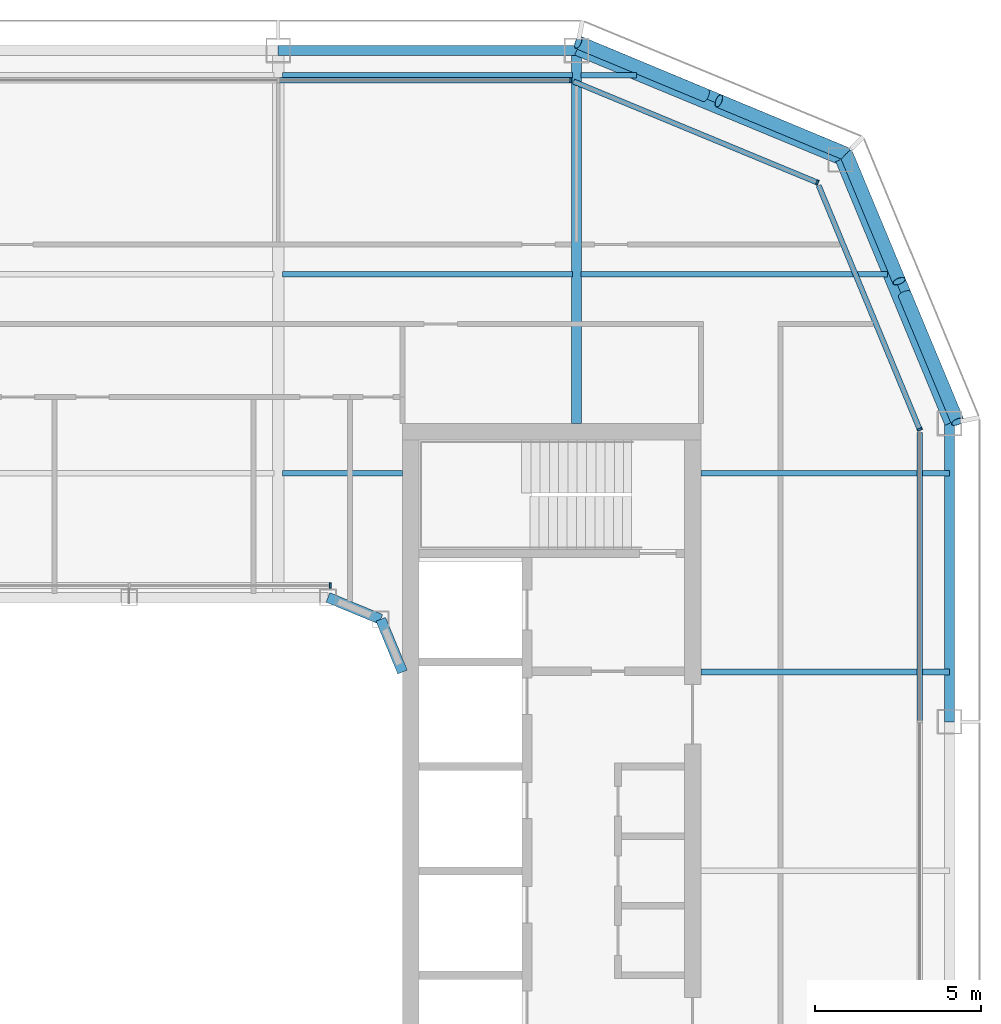
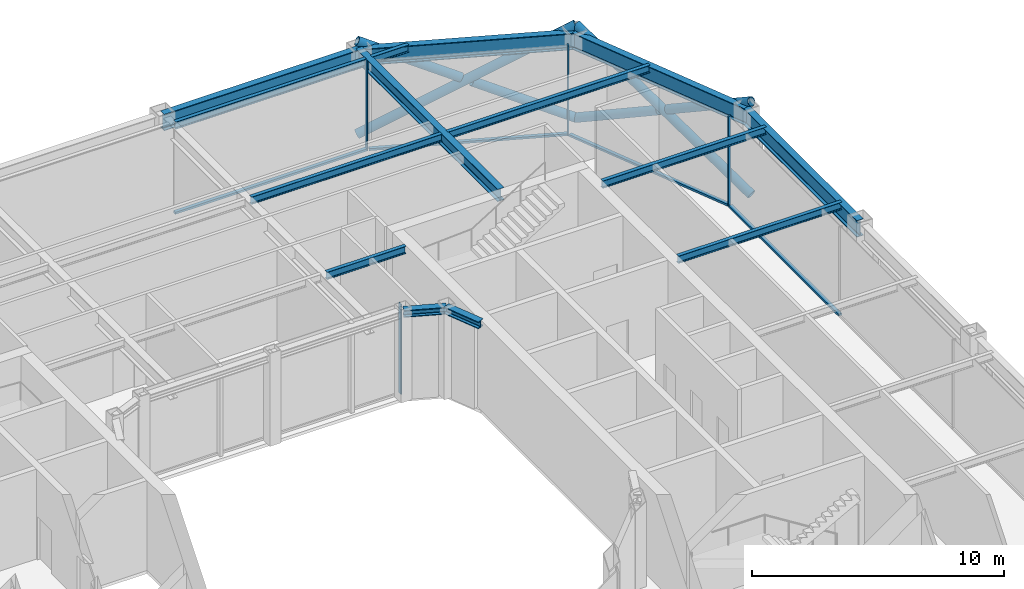
# One storey, part 8 of 20: 14 beams, 14 members, 5 elements without a shape of their own.
"""IFC4 building model written with IfcOpenShell, lengths in metres."""

from ifc_helpers import new_model, si_unit, direction, frame, origin, origin_2d, place, context, subcontext, project, spatial, rectangle, hollow_circle, i_section, extrude, material, layer, layer_set, material_profile, profile_set, type_object, element, aggregate, save


model = new_model("IFC4")

# Units and contexts
model_context = context("Model", 3, precision=1e-05, world=origin(), true_north=direction((0.0, 1.0)))
body_context = subcontext(model_context, "Body", "Model", "MODEL_VIEW")
ifc_project = project(units=[si_unit("LENGTHUNIT", "METRE"), si_unit("AREAUNIT", "SQUARE_METRE"), si_unit("VOLUMEUNIT", "CUBIC_METRE"), si_unit("PLANEANGLEUNIT", "RADIAN"), si_unit("MASSUNIT", "GRAM", prefix="KILO")], contexts=[model_context])

# Site, building, storey
site_placement = place(None, origin())
site = spatial("IfcSite", under=ifc_project, at=site_placement, CompositionType="ELEMENT")
building_placement = place(site_placement, origin())
building = spatial("IfcBuilding", under=site, at=building_placement, Name="Siwar Civic Tower", CompositionType="ELEMENT")
storey_placement = place(building_placement, frame((0.0, 0.0, 316.699951171875)))
storey = spatial("IfcBuildingStorey", under=building, at=storey_placement, Name="L68", CompositionType="ELEMENT", Elevation=316.699951171875)

# Curtain wall, member
ifc_material_1 = material(Name="Aluminium clad insulated panel", Category="aluminium")
ifc_layer_1 = layer(ifc_material_1, 0.159912109375)
ifc_layer_set_1 = layer_set([ifc_layer_1], Name="Aluminium clad insulated panel")
curtain_wall_type_1 = type_object("IfcCurtainWallType", Name="ENV-CW-DX", PredefinedType="NOTDEFINED", material=ifc_layer_set_1)
curtain_wall_1_placement = place(storey_placement, origin())
curtain_wall_1 = element("IfcCurtainWall", 1, at=curtain_wall_1_placement, inside=storey, type_object=curtain_wall_type_1, Name="Curtain wall D NE1", PredefinedType="NOTDEFINED")
ifc_material_2 = material(Name="Aluminium 6063-T6", Category="aluminium")
ifc_material_profile_1 = material_profile(ifc_material_2, rectangle(XDim=0.159912109375, YDim=0.06005859375, at=origin_2d()), Name="AL 160x60")
ifc_profile_set_1 = profile_set([ifc_material_profile_1], Name="Aluminium 6063-T6")
member_type_1 = type_object("IfcMemberType", Name="ENV-MULLION-D", PredefinedType="MULLION", material=ifc_profile_set_1)
member_1_placement = place(storey_placement, frame((23.85009765625, 13.321044921875, 0.0), z_axis=(0.0, 0.0, 1.0), x_axis=(-0.923879532511, -0.382683432365, 0.0)))
member_1 = element("IfcMember", 2, at=member_1_placement, type_object=member_type_1, Name="Mullion D NE1 1", PredefinedType="MULLION", context=body_context, shape_type="SweptSolid", body=[
    extrude(rectangle(XDim=0.159912109375, YDim=0.06005859375, at=origin_2d()), origin(), (0.0, 0.0, 1.0), 4.35009765625),
])

curtain_wall_2_placement = place(storey_placement, origin())
curtain_wall_2 = element("IfcCurtainWall", 3, at=curtain_wall_2_placement, inside=storey, type_object=curtain_wall_type_1, Name="Curtain wall D NE2", PredefinedType="NOTDEFINED")
member_2_placement = place(storey_placement, frame((20.76611328125, 20.76611328125, 0.0), z_axis=(0.0, 0.0, 1.0), x_axis=(-0.382683432365, -0.923879532511, 0.0)))
member_2 = element("IfcMember", 4, at=member_2_placement, type_object=member_type_1, Name="Mullion D NE2 1", PredefinedType="MULLION", context=body_context, shape_type="SweptSolid", body=[
    extrude(rectangle(XDim=0.159912109375, YDim=0.06005859375, at=origin_2d()), origin(), (0.0, 0.0, 1.0), 4.35009765625),
])

ifc_material_3 = material(Name="Aluminium and glass", Category="aluminium")
ifc_layer_2 = layer(ifc_material_3, 0.159912109375)
ifc_layer_set_2 = layer_set([ifc_layer_2], Name="Aluminium and glass")
curtain_wall_type_2 = type_object("IfcCurtainWallType", Name="ENV-CW-D", PredefinedType="NOTDEFINED", material=ifc_layer_set_2)
curtain_wall_3_placement = place(storey_placement, origin())
curtain_wall_3 = element("IfcCurtainWall", 5, at=curtain_wall_3_placement, inside=storey, type_object=curtain_wall_type_2, Name="Curtain wall D N", PredefinedType="NOTDEFINED")
member_3_placement = place(storey_placement, frame((13.321044921875, 23.85009765625, 0.0), z_axis=(0.0, 0.0, 1.0), x_axis=(0.0, -1.0, 0.0)))
member_3 = element("IfcMember", 6, at=member_3_placement, type_object=member_type_1, Name="Mullion D N 1", PredefinedType="MULLION", context=body_context, shape_type="SweptSolid", body=[
    extrude(rectangle(XDim=0.159912109375, YDim=0.06005859375, at=origin_2d()), origin(), (0.0, 0.0, 1.0), 4.35009765625),
])

ifc_material_4 = material(Name="Aluminium and glass", Category="aluminium")
ifc_layer_3 = layer(ifc_material_4, 0.179931640625)
ifc_layer_set_3 = layer_set([ifc_layer_3], Name="Aluminium and glass")
curtain_wall_type_3 = type_object("IfcCurtainWallType", Name="ENV-CW-W", PredefinedType="NOTDEFINED", material=ifc_layer_set_3)
curtain_wall_4_placement = place(storey_placement, origin())
curtain_wall_4 = element("IfcCurtainWall", 7, at=curtain_wall_4_placement, inside=storey, type_object=curtain_wall_type_3, Name="Curtain wall W WN", PredefinedType="NOTDEFINED")
ifc_material_5 = material(Name="Aluminium 6063-T6", Category="aluminium")
ifc_material_profile_2 = material_profile(ifc_material_5, rectangle(XDim=0.179931640625, YDim=0.06005859375, at=origin_2d()), Name="AL 180x60")
ifc_profile_set_2 = profile_set([ifc_material_profile_2], Name="Aluminium 6063-T6")
member_type_2 = type_object("IfcMemberType", Name="ENV-MULLION-W", PredefinedType="MULLION", material=ifc_profile_set_2)
member_4_placement = place(storey_placement, frame((6.071533203125, 8.610107421875, 0.0), z_axis=(0.0, 0.0, 1.0), x_axis=(0.0, -1.0, 0.0)))
member_4 = element("IfcMember", 8, at=member_4_placement, type_object=member_type_2, Name="Mullion W WN 1", PredefinedType="MULLION", context=body_context, shape_type="SweptSolid", body=[
    extrude(rectangle(XDim=0.179931640625, YDim=0.06005859375, at=origin_2d()), origin(), (0.0, 0.0, 1.0), 4.35009765625),
])
aggregate(curtain_wall_4, [member_4])

curtain_wall_5_placement = place(storey_placement, origin())
curtain_wall_5 = element("IfcCurtainWall", 9, at=curtain_wall_5_placement, inside=storey, type_object=curtain_wall_type_2, Name="Curtain wall D E", PredefinedType="NOTDEFINED")
ifc_material_6 = material(Name="Aluminium 6063-T6", Category="aluminium")
ifc_material_profile_3 = material_profile(ifc_material_6, rectangle(XDim=0.159912109375, YDim=0.10009765625, at=origin_2d()), Name="AL 160x100")
ifc_profile_set_3 = profile_set([ifc_material_profile_3], Name="Aluminium 6063-T6")
member_type_3 = type_object("IfcMemberType", Name="ENV-TRANSOM-D", PredefinedType="USERDEFINED", material=ifc_profile_set_3)
member_5_placement = place(storey_placement, frame((23.85009765625, 4.530029296875, 0.050048828125), z_axis=(0.0, 1.0, 0.0), x_axis=(-1.0, 0.0, 0.0)))
member_5 = element("IfcMember", 10, at=member_5_placement, type_object=member_type_3, Name="Transom D E 3", ObjectType="TRANSOM", PredefinedType="USERDEFINED", context=body_context, shape_type="SweptSolid", body=[
    extrude(rectangle(XDim=0.159912109375, YDim=0.10009765625, at=origin_2d()), origin(), (0.0, 0.0, 1.0), 8.693115234375),
])
aggregate(curtain_wall_5, [member_5])

# Member
member_6_placement = place(storey_placement, frame((23.838623046875, 13.3486328125, 0.050048828125), z_axis=(-0.382699790424, 0.923872756612, 0.0), x_axis=(-0.923872756612, -0.382699790424, 0.0)))
member_6 = element("IfcMember", 11, at=member_6_placement, type_object=member_type_3, Name="Transom D NE1 1", ObjectType="TRANSOM", PredefinedType="USERDEFINED", context=body_context, shape_type="SweptSolid", body=[
    extrude(rectangle(XDim=0.159912109375, YDim=0.10009765625, at=origin_2d()), origin(), (0.0, 0.0, 1.0), 7.930908203125),
])

aggregate(curtain_wall_1, [member_1, member_6])

member_7_placement = place(storey_placement, frame((20.738525390625, 20.777587890625, 0.050048828125), z_axis=(-0.923883640343, 0.382673515031, 0.0), x_axis=(-0.382673515031, -0.923883640343, 0.0)))
member_7 = element("IfcMember", 12, at=member_7_placement, type_object=member_type_3, Name="Transom D NE2 1", ObjectType="TRANSOM", PredefinedType="USERDEFINED", context=body_context, shape_type="SweptSolid", body=[
    extrude(rectangle(XDim=0.159912109375, YDim=0.10009765625, at=origin_2d()), origin(), (0.0, 0.0, 1.0), 7.930908203125),
])

aggregate(curtain_wall_2, [member_2, member_7])

member_8_placement = place(storey_placement, frame((13.291015625, 23.85009765625, 0.050048828125), z_axis=(-1.0, 0.0, 0.0), x_axis=(0.0, -1.0, 0.0)))
member_8 = element("IfcMember", 13, at=member_8_placement, type_object=member_type_3, Name="Transom D N 1", ObjectType="TRANSOM", PredefinedType="USERDEFINED", context=body_context, shape_type="SweptSolid", body=[
    extrude(rectangle(XDim=0.159912109375, YDim=0.10009765625, at=origin_2d()), origin(), (0.0, 0.0, 1.0), 8.760986328125),
])

aggregate(curtain_wall_3, [member_3, member_8])

# Members
ifc_material_7 = material(Name="Steel S355", Category="steel")
ifc_material_profile_4 = material_profile(ifc_material_7, hollow_circle(Radius=0.203125, WallThickness=0.01611328125, at=origin_2d()), Name="CHS406.4x16")
ifc_profile_set_4 = profile_set([ifc_material_profile_4], Name="Steel S355")
member_type_4 = type_object("IfcMemberType", Name="STR-BR-CHS406.4x16", PredefinedType="BRACE", material=ifc_profile_set_4)
member_9_placement = place(storey_placement, frame((13.548828125, 24.9951171875, 0.0), z_axis=(0.821142553604, -0.341671493852, 0.457149315816), x_axis=(0.384163874976, 0.923264922524, 0.0)))
element("IfcMember", 14, at=member_9_placement, inside=storey, type_object=member_type_4, Name="L68/brc/DNE1-7-0-1", PredefinedType="BRACE", context=body_context, shape_type="SweptSolid", body=[
    extrude(hollow_circle(Radius=0.203125, WallThickness=0.01611328125, at=origin_2d()), origin(), (0.0, 0.0, 1.0), 9.843505859375),
])
member_10_placement = place(storey_placement, frame((21.6318359375, 21.6318359375, 0.0), z_axis=(-0.821147096886, 0.341644380467, 0.457161418507), x_axis=(-0.38413607648, -0.923276488787, 0.0)))
element("IfcMember", 15, at=member_10_placement, inside=storey, type_object=member_type_4, Name="L68/brc/DNE1-7-0-2", PredefinedType="BRACE", context=body_context, shape_type="SweptSolid", body=[
    extrude(hollow_circle(Radius=0.203125, WallThickness=0.01611328125, at=origin_2d()), origin(), (0.0, 0.0, 1.0), 4.677001953125),
])
member_11_placement = place(storey_placement, frame((17.38916015625, 23.397216796875, 2.362060546875), z_axis=(-0.821149689876, 0.341667178655, 0.457139722456), x_axis=(-0.384156893273, -0.923267827529, 0.0)))
element("IfcMember", 16, at=member_11_placement, inside=storey, type_object=member_type_4, Name="L68/brc/DNE1-7-0-3", PredefinedType="BRACE", context=body_context, shape_type="SweptSolid", body=[
    extrude(hollow_circle(Radius=0.203125, WallThickness=0.01611328125, at=origin_2d()), origin(), (0.0, 0.0, 1.0), 4.6767578125),
])
member_12_placement = place(storey_placement, frame((24.9951171875, 13.548828125, 0.0), z_axis=(-0.341671493852, 0.821142553604, 0.457149315816), x_axis=(-0.923264922524, -0.384163874976, 0.0)))
element("IfcMember", 17, at=member_12_placement, inside=storey, type_object=member_type_4, Name="L68/brc/DNE1-7-0-0", PredefinedType="BRACE", context=body_context, shape_type="SweptSolid", body=[
    extrude(hollow_circle(Radius=0.203125, WallThickness=0.01611328125, at=origin_2d()), origin(), (0.0, 0.0, 1.0), 9.843505859375),
])
member_13_placement = place(storey_placement, frame((21.6318359375, 21.6318359375, 0.0), z_axis=(0.341644380467, -0.821147096886, 0.457161418507), x_axis=(0.923276488787, 0.38413607648, 0.0)))
element("IfcMember", 18, at=member_13_placement, inside=storey, type_object=member_type_4, Name="L68/brc/DNE1-7-0-4", PredefinedType="BRACE", context=body_context, shape_type="SweptSolid", body=[
    extrude(hollow_circle(Radius=0.203125, WallThickness=0.01611328125, at=origin_2d()), origin(), (0.0, 0.0, 1.0), 4.677001953125),
])
member_14_placement = place(storey_placement, frame((23.397216796875, 17.38916015625, 2.362060546875), z_axis=(0.341667178655, -0.821149689876, 0.457139722456), x_axis=(0.923267827529, 0.384156893273, 0.0)))
element("IfcMember", 19, at=member_14_placement, inside=storey, type_object=member_type_4, Name="L68/brc/DNE1-7-0-5", PredefinedType="BRACE", context=body_context, shape_type="SweptSolid", body=[
    extrude(hollow_circle(Radius=0.203125, WallThickness=0.01611328125, at=origin_2d()), origin(), (0.0, 0.0, 1.0), 4.6767578125),
])

# Beams
ifc_material_8 = material(Name="Steel S355", Category="steel")
ifc_material_profile_5 = material_profile(ifc_material_8, i_section(OverallWidth=0.169921875, OverallDepth=0.360107421875, WebThickness=0.008056640625, FlangeThickness=0.0126953125, FilletRadius=0.01806640625, at=origin_2d()), Name="IPE360")
ifc_profile_set_5 = profile_set([ifc_material_profile_5], Name="Steel S355")
beam_type_1 = type_object("IfcBeamType", Name="STR-FB-IPE360", PredefinedType="JOIST", material=ifc_profile_set_5)
beam_1_placement = place(storey_placement, frame((17.25, 6.0, 4.170166015625), z_axis=(1.0, 0.0, 0.0), x_axis=(0.0, 1.0, 0.0)))
element("IfcBeam", 20, at=beam_1_placement, inside=storey, type_object=beam_type_1, Name="L68/bm/F021", PredefinedType="JOIST", context=body_context, shape_type="SweptSolid", body=[
    extrude(i_section(OverallWidth=0.169921875, OverallDepth=0.360107421875, WebThickness=0.008056640625, FlangeThickness=0.0126953125, FilletRadius=0.01806640625, at=origin_2d()), origin(), (0.0, 0.0, 1.0), 7.5),
])
beam_2_placement = place(storey_placement, frame((4.6298828125, 12.0, 4.170166015625), z_axis=(1.0, 0.0, 0.0), x_axis=(0.0, 1.0, 0.0)))
element("IfcBeam", 21, at=beam_2_placement, inside=storey, type_object=beam_type_1, Name="L68/bm/F025", PredefinedType="JOIST", context=body_context, shape_type="SweptSolid", body=[
    extrude(i_section(OverallWidth=0.169921875, OverallDepth=0.360107421875, WebThickness=0.008056640625, FlangeThickness=0.0126953125, FilletRadius=0.01806640625, at=origin_2d()), origin(), (0.0, 0.0, 1.0), 3.6201171875),
])
beam_3_placement = place(storey_placement, frame((17.25, 12.0, 4.170166015625), z_axis=(1.0, 0.0, 0.0), x_axis=(0.0, 1.0, 0.0)))
element("IfcBeam", 22, at=beam_3_placement, inside=storey, type_object=beam_type_1, Name="L68/bm/F026", PredefinedType="JOIST", context=body_context, shape_type="SweptSolid", body=[
    extrude(i_section(OverallWidth=0.169921875, OverallDepth=0.360107421875, WebThickness=0.008056640625, FlangeThickness=0.0126953125, FilletRadius=0.01806640625, at=origin_2d()), origin(), (0.0, 0.0, 1.0), 7.5),
])
beam_4_placement = place(storey_placement, frame((4.6298828125, 18.0, 4.170166015625), z_axis=(1.0, 0.0, 0.0), x_axis=(0.0, 1.0, 0.0)))
element("IfcBeam", 23, at=beam_4_placement, inside=storey, type_object=beam_type_1, Name="L68/bm/F030", PredefinedType="JOIST", context=body_context, shape_type="SweptSolid", body=[
    extrude(i_section(OverallWidth=0.169921875, OverallDepth=0.360107421875, WebThickness=0.008056640625, FlangeThickness=0.0126953125, FilletRadius=0.01806640625, at=origin_2d()), origin(), (0.0, 0.0, 1.0), 8.740234375),
])
beam_5_placement = place(storey_placement, frame((13.6298828125, 18.0, 4.170166015625), z_axis=(1.0, 0.0, 0.0), x_axis=(0.0, 1.0, 0.0)))
element("IfcBeam", 24, at=beam_5_placement, inside=storey, type_object=beam_type_1, Name="L68/bm/F031", PredefinedType="JOIST", context=body_context, shape_type="SweptSolid", body=[
    extrude(i_section(OverallWidth=0.169921875, OverallDepth=0.360107421875, WebThickness=0.008056640625, FlangeThickness=0.0126953125, FilletRadius=0.01806640625, at=origin_2d()), origin(), (0.0, 0.0, 1.0), 9.256103515625),
])
beam_6_placement = place(storey_placement, frame((4.6298828125, 24.0, 4.170166015625), z_axis=(1.0, 0.0, 0.0), x_axis=(0.0, 1.0, 0.0)))
element("IfcBeam", 25, at=beam_6_placement, inside=storey, type_object=beam_type_1, Name="L68/bm/F035", PredefinedType="JOIST", context=body_context, shape_type="SweptSolid", body=[
    extrude(i_section(OverallWidth=0.169921875, OverallDepth=0.360107421875, WebThickness=0.008056640625, FlangeThickness=0.0126953125, FilletRadius=0.01806640625, at=origin_2d()), origin(), (0.0, 0.0, 1.0), 8.740234375),
])
beam_7_placement = place(storey_placement, frame((13.6298828125, 24.0, 4.170166015625), z_axis=(1.0, 0.0, 0.0), x_axis=(0.0, 1.0, 0.0)))
element("IfcBeam", 26, at=beam_7_placement, inside=storey, type_object=beam_type_1, Name="L68/bm/F036", PredefinedType="JOIST", context=body_context, shape_type="SweptSolid", body=[
    extrude(i_section(OverallWidth=0.169921875, OverallDepth=0.360107421875, WebThickness=0.008056640625, FlangeThickness=0.0126953125, FilletRadius=0.01806640625, at=origin_2d()), origin(), (0.0, 0.0, 1.0), 1.6806640625),
])
ifc_material_9 = material(Name="Steel S355", Category="steel")
ifc_material_profile_6 = material_profile(ifc_material_9, i_section(OverallWidth=0.300048828125, OverallDepth=0.60009765625, WebThickness=0.015380859375, FlangeThickness=0.030029296875, FilletRadius=0.027099609375, at=origin_2d()), Name="HEB600")
ifc_profile_set_6 = profile_set([ifc_material_profile_6], Name="Steel S355")
beam_type_2 = type_object("IfcBeamType", Name="STR-PG-HEB600", PredefinedType="BEAM", material=ifc_profile_set_6)
beam_8_placement = place(storey_placement, frame((13.5, 13.5, 4.050048828125), z_axis=(0.0, 1.0, 0.0), x_axis=(-1.0, 0.0, 0.0)))
element("IfcBeam", 27, at=beam_8_placement, inside=storey, type_object=beam_type_2, Name="L68/bm/G08", PredefinedType="BEAM", context=body_context, shape_type="SweptSolid", body=[
    extrude(i_section(OverallWidth=0.300048828125, OverallDepth=0.60009765625, WebThickness=0.015380859375, FlangeThickness=0.030029296875, FilletRadius=0.027099609375, at=origin_2d()), origin(), (0.0, 0.0, 1.0), 11.25),
])
ifc_material_10 = material(Name="Steel S355", Category="steel")
ifc_material_profile_7 = material_profile(ifc_material_10, i_section(OverallWidth=0.31005859375, OverallDepth=0.340087890625, WebThickness=0.02099609375, FlangeThickness=0.0390625, FilletRadius=0.027099609375, at=origin_2d()), Name="HEM300")
ifc_profile_set_7 = profile_set([ifc_material_profile_7], Name="Steel S355")
beam_type_3 = type_object("IfcBeamType", Name="STR-RB-HEM300", PredefinedType="BEAM", material=ifc_profile_set_7)
for number, where, z_axis, x_axis, name in (
    (28, (6.0, 8.25, 4.179931640625), (0.923901072997, -0.382631424892, 0.0), (0.382631424892, 0.923901072997, 0.0), "L68/bm/RN3"),
    (29, (7.591064453125, 7.591064453125, 4.179931640625), (0.382631424892, -0.923901072997, 0.0), (0.923901072997, 0.382631424892, 0.0), "L68/bm/RNEE"),
):
    element("IfcBeam", number, at=place(storey_placement, frame(where, z_axis=z_axis, x_axis=x_axis)), inside=storey, type_object=beam_type_3, Name=name, PredefinedType="BEAM", context=body_context, shape_type="SweptSolid", body=[
        extrude(i_section(OverallWidth=0.31005859375, OverallDepth=0.340087890625, WebThickness=0.02099609375, FlangeThickness=0.0390625, FilletRadius=0.027099609375, at=origin_2d()), origin(), (0.0, 0.0, 1.0), 1.72216796875),
    ])
ifc_material_11 = material(Name="Steel S355", Category="steel")
ifc_material_profile_8 = material_profile(ifc_material_11, i_section(OverallWidth=0.300048828125, OverallDepth=0.800048828125, WebThickness=0.017578125, FlangeThickness=0.032958984375, FilletRadius=0.030029296875, at=origin_2d()), Name="HEB800")
ifc_profile_set_8 = profile_set([ifc_material_profile_8], Name="Steel S355")
beam_type_4 = type_object("IfcBeamType", Name="STR-SB-HEB800", PredefinedType="BEAM", material=ifc_profile_set_8)
beam_9_placement = place(storey_placement, frame((24.75, 4.5, 3.949951171875), z_axis=(0.0, 1.0, 0.0), x_axis=(-1.0, 0.0, 0.0)))
element("IfcBeam", 30, at=beam_9_placement, inside=storey, type_object=beam_type_4, Name="L68/bm/SE-2", PredefinedType="BEAM", context=body_context, shape_type="SweptSolid", body=[
    extrude(i_section(OverallWidth=0.300048828125, OverallDepth=0.800048828125, WebThickness=0.017578125, FlangeThickness=0.032958984375, FilletRadius=0.030029296875, at=origin_2d()), origin(), (0.0, 0.0, 1.0), 9.0),
])
for number, where, z_axis, x_axis, name in (
    (31, (24.75, 13.5, 3.949951171875), (-0.382699877515, 0.923872720536, 0.0), (-0.923872720536, -0.382699877515, 0.0), "L68/bm/SNE1-0"),
    (32, (21.454833984375, 21.454833984375, 3.949951171875), (-0.923872720536, 0.382699877515, 0.0), (-0.382699877515, -0.923872720536, 0.0), "L68/bm/SNE2-0"),
):
    element("IfcBeam", number, at=place(storey_placement, frame(where, z_axis=z_axis, x_axis=x_axis)), inside=storey, type_object=beam_type_4, Name=name, PredefinedType="BEAM", context=body_context, shape_type="SweptSolid", body=[
        extrude(i_section(OverallWidth=0.300048828125, OverallDepth=0.800048828125, WebThickness=0.017578125, FlangeThickness=0.032958984375, FilletRadius=0.030029296875, at=origin_2d()), origin(), (0.0, 0.0, 1.0), 8.6103515625),
    ])
beam_10_placement = place(storey_placement, frame((13.5, 24.75, 3.949951171875), z_axis=(-1.0, 0.0, 0.0), x_axis=(0.0, -1.0, 0.0)))
element("IfcBeam", 33, at=beam_10_placement, inside=storey, type_object=beam_type_4, Name="L68/bm/SN-0", PredefinedType="BEAM", context=body_context, shape_type="SweptSolid", body=[
    extrude(i_section(OverallWidth=0.300048828125, OverallDepth=0.800048828125, WebThickness=0.017578125, FlangeThickness=0.032958984375, FilletRadius=0.030029296875, at=origin_2d()), origin(), (0.0, 0.0, 1.0), 9.0),
])

save(model, "model.ifc")
